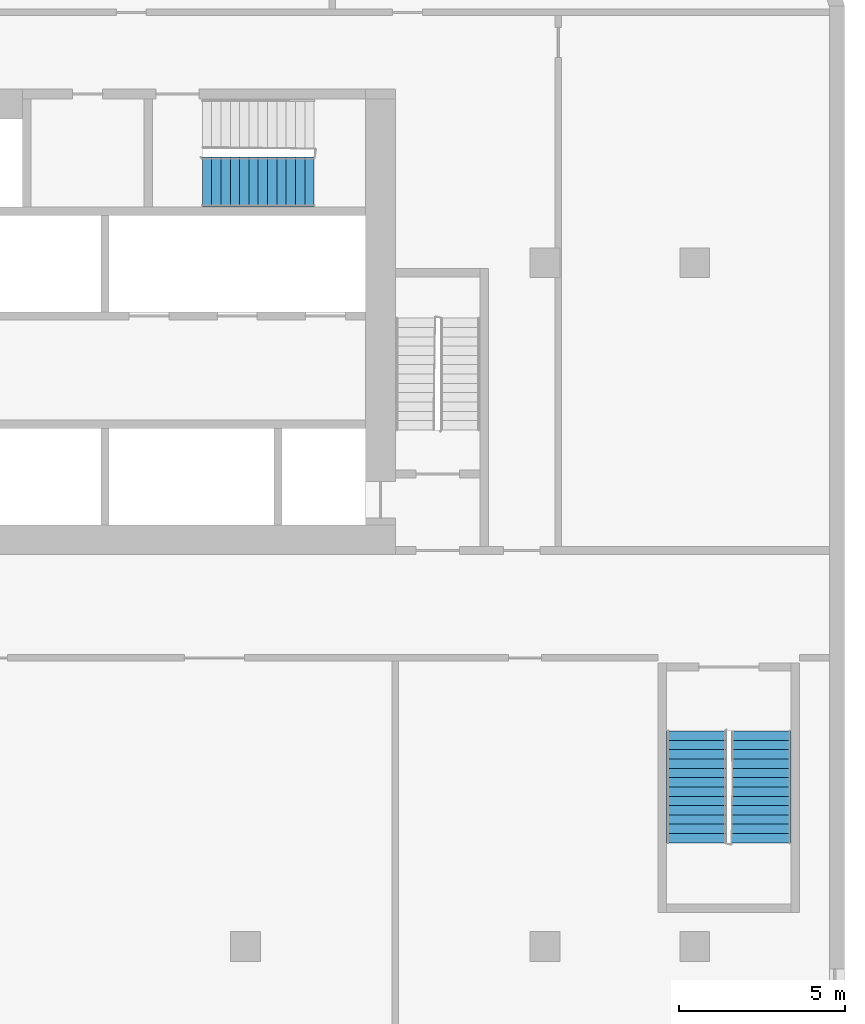
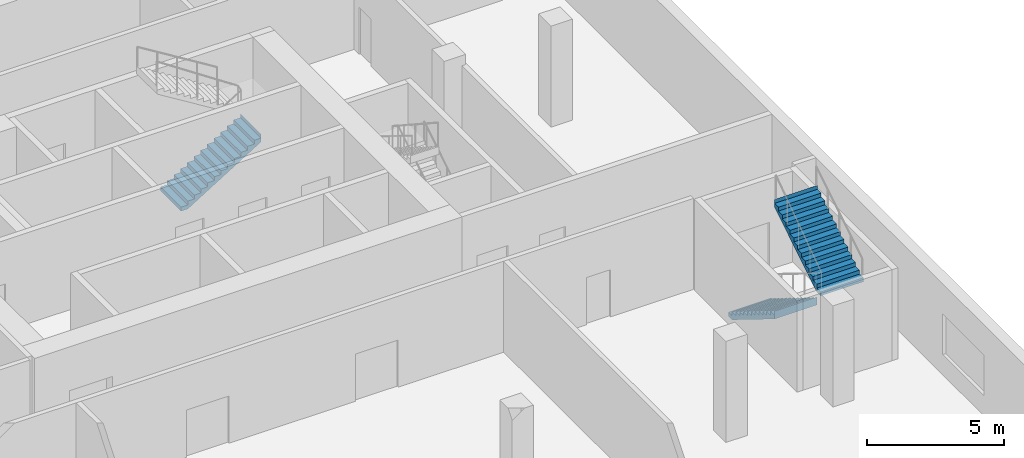
# One storey, part 16 of 19: 3 stair flights, 2 elements without a shape of their own.
"""IFC4 building model written with IfcOpenShell, lengths in metres."""

from ifc_helpers import new_model, si_unit, direction, frame, origin, place, context, subcontext, project, spatial, faceted_brep, material, type_object, element, aggregate, save


model = new_model("IFC4")

# Units and contexts
model_context = context("Model", 3, precision=1e-05, world=origin(), true_north=direction((0.0, 1.0)))
body_context = subcontext(model_context, "Body", "Model", "MODEL_VIEW")
ifc_project = project(units=[si_unit("LENGTHUNIT", "METRE"), si_unit("AREAUNIT", "SQUARE_METRE"), si_unit("VOLUMEUNIT", "CUBIC_METRE"), si_unit("PLANEANGLEUNIT", "RADIAN"), si_unit("MASSUNIT", "GRAM", prefix="KILO")], contexts=[model_context])

# Site, building, storey
site_placement = place(None, origin())
site = spatial("IfcSite", under=ifc_project, at=site_placement, CompositionType="ELEMENT")
building_placement = place(site_placement, origin())
building = spatial("IfcBuilding", under=site, at=building_placement, Name="Kajstack Hotel Tower", CompositionType="ELEMENT")
storey_placement = place(building_placement, frame((0.0, 0.0, 33.5)))
storey = spatial("IfcBuildingStorey", under=building, at=storey_placement, Name="L05", CompositionType="ELEMENT", Elevation=33.5)

# Stair, stair flights
ifc_material = material(Name="Concrete C40/50", Category="concrete")
stair_type_1 = type_object("IfcStairType", Name="Escape stair 1800", PredefinedType="HALF_TURN_STAIR", material=ifc_material)
stair_1_placement = place(storey_placement, origin())
stair_1 = element("IfcStair", 1, at=stair_1_placement, inside=storey, type_object=stair_type_1, Name="L05 stair P2", PredefinedType="HALF_TURN_STAIR")
stair_flight_type_1 = type_object("IfcStairFlightType", Name="Escape stair flight 1800", PredefinedType="STRAIGHT", material=ifc_material)
stair_flight_1_placement = place(storey_placement, frame((40.550048828125, -3.800048828125, 0.0), z_axis=(0.0, 0.0, 1.0), x_axis=(0.0, -1.0, 0.0)))
stair_flight_1 = element("IfcStairFlight", 2, at=stair_flight_1_placement, type_object=stair_flight_type_1, Name="P2 flight 1", NumberOfRisers=13, NumberOfTreads=12, PredefinedType="STRAIGHT", RiserHeight=0.173076923, TreadLength=0.28, context=body_context, shape_type="Brep", body=[
    faceted_brep([(0.28564453125, -0.89990234375, 0.0), (3.360595703125, -0.89990234375, 1.900634765625), (3.360595703125, -0.89990234375, 2.25), (3.360107421875, -0.89990234375, 2.25), (3.360107421875, -0.89990234375, 2.076904296875), (3.080078125, -0.89990234375, 2.076904296875), (3.080078125, -0.89990234375, 1.90380859375), (2.800048828125, -0.89990234375, 1.90380859375), (2.800048828125, -0.89990234375, 1.730712890625), (2.52001953125, -0.89990234375, 1.730712890625), (2.52001953125, -0.89990234375, 1.5576171875), (2.239990234375, -0.89990234375, 1.5576171875), (2.239990234375, -0.89990234375, 1.384521484375), (1.9599609375, -0.89990234375, 1.384521484375), (1.9599609375, -0.89990234375, 1.21142578125), (1.679931640625, -0.89990234375, 1.21142578125), (1.679931640625, -0.89990234375, 1.03857421875), (1.39990234375, -0.89990234375, 1.03857421875), (1.39990234375, -0.89990234375, 0.865478515625), (1.1201171875, -0.89990234375, 0.865478515625), (1.1201171875, -0.89990234375, 0.6923828125), (0.840087890625, -0.89990234375, 0.6923828125), (0.840087890625, -0.89990234375, 0.519287109375), (0.56005859375, -0.89990234375, 0.519287109375), (0.56005859375, -0.89990234375, 0.34619140625), (0.280029296875, -0.89990234375, 0.34619140625), (0.280029296875, -0.89990234375, 0.173095703125), (-0.00048828125, -0.89990234375, 0.173095703125), (-0.00048828125, -0.89990234375, 0.0), (-0.00048828125, 0.89990234375, 0.0), (-0.00048828125, 0.89990234375, 0.173095703125), (0.280029296875, 0.89990234375, 0.173095703125), (0.280029296875, 0.89990234375, 0.34619140625), (0.56005859375, 0.89990234375, 0.34619140625), (0.56005859375, 0.89990234375, 0.519287109375), (0.840087890625, 0.89990234375, 0.519287109375), (0.840087890625, 0.89990234375, 0.6923828125), (1.1201171875, 0.89990234375, 0.6923828125), (1.1201171875, 0.89990234375, 0.865478515625), (1.39990234375, 0.89990234375, 0.865478515625), (1.39990234375, 0.89990234375, 1.03857421875), (1.679931640625, 0.89990234375, 1.03857421875), (1.679931640625, 0.89990234375, 1.21142578125), (1.9599609375, 0.89990234375, 1.21142578125), (1.9599609375, 0.89990234375, 1.384521484375), (2.239990234375, 0.89990234375, 1.384521484375), (2.239990234375, 0.89990234375, 1.5576171875), (2.52001953125, 0.89990234375, 1.5576171875), (2.52001953125, 0.89990234375, 1.730712890625), (2.800048828125, 0.89990234375, 1.730712890625), (2.800048828125, 0.89990234375, 1.90380859375), (3.080078125, 0.89990234375, 1.90380859375), (3.080078125, 0.89990234375, 2.076904296875), (3.360107421875, 0.89990234375, 2.076904296875), (3.360107421875, 0.89990234375, 2.25), (3.360595703125, 0.89990234375, 2.25), (3.360595703125, 0.89990234375, 1.900634765625), (0.28564453125, 0.89990234375, 0.0), (-0.00048828125, -0.449951171875, 0.173095703125), (-0.00048828125, 0.0, 0.173095703125), (-0.00048828125, 0.449951171875, 0.173095703125), (-0.00048828125, 0.449951171875, 0.0), (-0.00048828125, 0.0, 0.0), (-0.00048828125, -0.449951171875, 0.0), (0.280029296875, -0.449951171875, 0.173095703125), (0.280029296875, 0.0, 0.173095703125), (0.280029296875, 0.449951171875, 0.173095703125), (0.280029296875, -0.449951171875, 0.34619140625), (0.280029296875, 0.0, 0.34619140625), (0.280029296875, 0.449951171875, 0.34619140625), (0.56005859375, -0.449951171875, 0.34619140625), (0.56005859375, 0.0, 0.34619140625), (0.56005859375, 0.449951171875, 0.34619140625), (0.56005859375, -0.449951171875, 0.519287109375), (0.56005859375, 0.0, 0.519287109375), (0.56005859375, 0.449951171875, 0.519287109375), (0.840087890625, -0.449951171875, 0.519287109375), (0.840087890625, 0.0, 0.519287109375), (0.840087890625, 0.449951171875, 0.519287109375), (0.840087890625, -0.449951171875, 0.6923828125), (0.840087890625, 0.0, 0.6923828125), (0.840087890625, 0.449951171875, 0.6923828125), (1.1201171875, -0.449951171875, 0.6923828125), (1.1201171875, 0.0, 0.6923828125), (1.1201171875, 0.449951171875, 0.6923828125), (1.1201171875, -0.449951171875, 0.865478515625), (1.1201171875, 0.0, 0.865478515625), (1.1201171875, 0.449951171875, 0.865478515625), (1.39990234375, -0.449951171875, 0.865478515625), (1.39990234375, 0.0, 0.865478515625), (1.39990234375, 0.449951171875, 0.865478515625), (1.39990234375, -0.449951171875, 1.03857421875), (1.39990234375, 0.0, 1.03857421875), (1.39990234375, 0.449951171875, 1.03857421875), (1.679931640625, -0.449951171875, 1.03857421875), (1.679931640625, 0.0, 1.03857421875), (1.679931640625, 0.449951171875, 1.03857421875), (1.679931640625, -0.449951171875, 1.21142578125), (1.679931640625, 0.0, 1.21142578125), (1.679931640625, 0.449951171875, 1.21142578125), (1.9599609375, -0.449951171875, 1.21142578125), (1.9599609375, 0.0, 1.21142578125), (1.9599609375, 0.449951171875, 1.21142578125), (1.9599609375, -0.449951171875, 1.384521484375), (1.9599609375, 0.0, 1.384521484375), (1.9599609375, 0.449951171875, 1.384521484375), (2.239990234375, -0.449951171875, 1.384521484375), (2.239990234375, 0.0, 1.384521484375), (2.239990234375, 0.449951171875, 1.384521484375), (2.239990234375, -0.449951171875, 1.5576171875), (2.239990234375, 0.0, 1.5576171875), (2.239990234375, 0.449951171875, 1.5576171875), (2.52001953125, -0.449951171875, 1.5576171875), (2.52001953125, 0.0, 1.5576171875), (2.52001953125, 0.449951171875, 1.5576171875), (2.52001953125, -0.449951171875, 1.730712890625), (2.52001953125, 0.0, 1.730712890625), (2.52001953125, 0.449951171875, 1.730712890625), (2.800048828125, -0.449951171875, 1.730712890625), (2.800048828125, 0.0, 1.730712890625), (2.800048828125, 0.449951171875, 1.730712890625), (2.800048828125, -0.449951171875, 1.90380859375), (2.800048828125, 0.0, 1.90380859375), (2.800048828125, 0.449951171875, 1.90380859375), (3.080078125, -0.449951171875, 1.90380859375), (3.080078125, 0.0, 1.90380859375), (3.080078125, 0.449951171875, 1.90380859375), (3.080078125, -0.449951171875, 2.076904296875), (3.080078125, 0.0, 2.076904296875), (3.080078125, 0.449951171875, 2.076904296875), (3.360107421875, -0.449951171875, 2.076904296875), (3.360107421875, 0.0, 2.076904296875), (3.360107421875, 0.449951171875, 2.076904296875), (3.360107421875, -0.449951171875, 2.25), (3.360107421875, 0.0, 2.25), (3.360107421875, 0.449951171875, 2.25), (3.360595703125, -0.449951171875, 2.25), (3.360595703125, 0.0, 2.25), (3.360595703125, 0.449951171875, 2.25), (3.360595703125, -0.449951171875, 1.900634765625), (3.360595703125, 0.0, 1.900634765625), (3.360595703125, 0.449951171875, 1.900634765625), (0.28564453125, -0.449951171875, 0.0), (0.28564453125, 0.0, 0.0), (0.28564453125, 0.449951171875, 0.0)], [[[0, 1, 2, 3, 4, 5, 6, 7, 8, 9, 10, 11, 12, 13, 14, 15, 16, 17, 18, 19, 20, 21, 22, 23, 24, 25, 26, 27, 28]], [[29, 30, 31, 32, 33, 34, 35, 36, 37, 38, 39, 40, 41, 42, 43, 44, 45, 46, 47, 48, 49, 50, 51, 52, 53, 54, 55, 56, 57]], [[27, 58, 59, 60, 30, 29, 61, 62, 63, 28]], [[26, 64, 65, 66, 31, 30, 60, 59, 58, 27]], [[25, 67, 68, 69, 32, 31, 66, 65, 64, 26]], [[24, 70, 71, 72, 33, 32, 69, 68, 67, 25]], [[23, 73, 74, 75, 34, 33, 72, 71, 70, 24]], [[22, 76, 77, 78, 35, 34, 75, 74, 73, 23]], [[21, 79, 80, 81, 36, 35, 78, 77, 76, 22]], [[20, 82, 83, 84, 37, 36, 81, 80, 79, 21]], [[19, 85, 86, 87, 38, 37, 84, 83, 82, 20]], [[18, 88, 89, 90, 39, 38, 87, 86, 85, 19]], [[17, 91, 92, 93, 40, 39, 90, 89, 88, 18]], [[16, 94, 95, 96, 41, 40, 93, 92, 91, 17]], [[15, 97, 98, 99, 42, 41, 96, 95, 94, 16]], [[14, 100, 101, 102, 43, 42, 99, 98, 97, 15]], [[13, 103, 104, 105, 44, 43, 102, 101, 100, 14]], [[12, 106, 107, 108, 45, 44, 105, 104, 103, 13]], [[11, 109, 110, 111, 46, 45, 108, 107, 106, 12]], [[10, 112, 113, 114, 47, 46, 111, 110, 109, 11]], [[9, 115, 116, 117, 48, 47, 114, 113, 112, 10]], [[8, 118, 119, 120, 49, 48, 117, 116, 115, 9]], [[7, 121, 122, 123, 50, 49, 120, 119, 118, 8]], [[6, 124, 125, 126, 51, 50, 123, 122, 121, 7]], [[5, 127, 128, 129, 52, 51, 126, 125, 124, 6]], [[4, 130, 131, 132, 53, 52, 129, 128, 127, 5]], [[3, 133, 134, 135, 54, 53, 132, 131, 130, 4]], [[2, 136, 137, 138, 55, 54, 135, 134, 133, 3]], [[1, 139, 140, 141, 56, 55, 138, 137, 136, 2]], [[0, 142, 143, 144, 57, 56, 141, 140, 139, 1]], [[28, 63, 62, 61, 29, 57, 144, 143, 142, 0]]]),
])
stair_flight_2_placement = place(storey_placement, frame((42.5, -7.159912109375, 2.25), z_axis=(0.0, 0.0, 1.0), x_axis=(0.0, 1.0, 0.0)))
stair_flight_2 = element("IfcStairFlight", 3, at=stair_flight_2_placement, type_object=stair_flight_type_1, Name="P2 flight 2", NumberOfRisers=13, NumberOfTreads=12, PredefinedType="STRAIGHT", RiserHeight=0.173076923, TreadLength=0.28, context=body_context, shape_type="Brep", body=[
    faceted_brep([(0.28564453125, -0.89990234375, 0.0), (3.360595703125, -0.89990234375, 1.900634765625), (3.360595703125, -0.89990234375, 2.25), (3.360107421875, -0.89990234375, 2.25), (3.360107421875, -0.89990234375, 2.076904296875), (3.080078125, -0.89990234375, 2.076904296875), (3.080078125, -0.89990234375, 1.90380859375), (2.800048828125, -0.89990234375, 1.90380859375), (2.800048828125, -0.89990234375, 1.730712890625), (2.52001953125, -0.89990234375, 1.730712890625), (2.52001953125, -0.89990234375, 1.5576171875), (2.239990234375, -0.89990234375, 1.5576171875), (2.239990234375, -0.89990234375, 1.384521484375), (1.9599609375, -0.89990234375, 1.384521484375), (1.9599609375, -0.89990234375, 1.21142578125), (1.679931640625, -0.89990234375, 1.21142578125), (1.679931640625, -0.89990234375, 1.03857421875), (1.39990234375, -0.89990234375, 1.03857421875), (1.39990234375, -0.89990234375, 0.865478515625), (1.1201171875, -0.89990234375, 0.865478515625), (1.1201171875, -0.89990234375, 0.6923828125), (0.840087890625, -0.89990234375, 0.6923828125), (0.840087890625, -0.89990234375, 0.519287109375), (0.56005859375, -0.89990234375, 0.519287109375), (0.56005859375, -0.89990234375, 0.34619140625), (0.280029296875, -0.89990234375, 0.34619140625), (0.280029296875, -0.89990234375, 0.173095703125), (-0.00048828125, -0.89990234375, 0.173095703125), (-0.00048828125, -0.89990234375, 0.0), (-0.00048828125, 0.89990234375, 0.0), (-0.00048828125, 0.89990234375, 0.173095703125), (0.280029296875, 0.89990234375, 0.173095703125), (0.280029296875, 0.89990234375, 0.34619140625), (0.56005859375, 0.89990234375, 0.34619140625), (0.56005859375, 0.89990234375, 0.519287109375), (0.840087890625, 0.89990234375, 0.519287109375), (0.840087890625, 0.89990234375, 0.6923828125), (1.1201171875, 0.89990234375, 0.6923828125), (1.1201171875, 0.89990234375, 0.865478515625), (1.39990234375, 0.89990234375, 0.865478515625), (1.39990234375, 0.89990234375, 1.03857421875), (1.679931640625, 0.89990234375, 1.03857421875), (1.679931640625, 0.89990234375, 1.21142578125), (1.9599609375, 0.89990234375, 1.21142578125), (1.9599609375, 0.89990234375, 1.384521484375), (2.239990234375, 0.89990234375, 1.384521484375), (2.239990234375, 0.89990234375, 1.5576171875), (2.52001953125, 0.89990234375, 1.5576171875), (2.52001953125, 0.89990234375, 1.730712890625), (2.800048828125, 0.89990234375, 1.730712890625), (2.800048828125, 0.89990234375, 1.90380859375), (3.080078125, 0.89990234375, 1.90380859375), (3.080078125, 0.89990234375, 2.076904296875), (3.360107421875, 0.89990234375, 2.076904296875), (3.360107421875, 0.89990234375, 2.25), (3.360595703125, 0.89990234375, 2.25), (3.360595703125, 0.89990234375, 1.900634765625), (0.28564453125, 0.89990234375, 0.0), (-0.00048828125, -0.449951171875, 0.173095703125), (-0.00048828125, 0.0, 0.173095703125), (-0.00048828125, 0.449951171875, 0.173095703125), (-0.00048828125, 0.449951171875, 0.0), (-0.00048828125, 0.0, 0.0), (-0.00048828125, -0.449951171875, 0.0), (0.280029296875, -0.449951171875, 0.173095703125), (0.280029296875, 0.0, 0.173095703125), (0.280029296875, 0.449951171875, 0.173095703125), (0.280029296875, -0.449951171875, 0.34619140625), (0.280029296875, 0.0, 0.34619140625), (0.280029296875, 0.449951171875, 0.34619140625), (0.56005859375, -0.449951171875, 0.34619140625), (0.56005859375, 0.0, 0.34619140625), (0.56005859375, 0.449951171875, 0.34619140625), (0.56005859375, -0.449951171875, 0.519287109375), (0.56005859375, 0.0, 0.519287109375), (0.56005859375, 0.449951171875, 0.519287109375), (0.840087890625, -0.449951171875, 0.519287109375), (0.840087890625, 0.0, 0.519287109375), (0.840087890625, 0.449951171875, 0.519287109375), (0.840087890625, -0.449951171875, 0.6923828125), (0.840087890625, 0.0, 0.6923828125), (0.840087890625, 0.449951171875, 0.6923828125), (1.1201171875, -0.449951171875, 0.6923828125), (1.1201171875, 0.0, 0.6923828125), (1.1201171875, 0.449951171875, 0.6923828125), (1.1201171875, -0.449951171875, 0.865478515625), (1.1201171875, 0.0, 0.865478515625), (1.1201171875, 0.449951171875, 0.865478515625), (1.39990234375, -0.449951171875, 0.865478515625), (1.39990234375, 0.0, 0.865478515625), (1.39990234375, 0.449951171875, 0.865478515625), (1.39990234375, -0.449951171875, 1.03857421875), (1.39990234375, 0.0, 1.03857421875), (1.39990234375, 0.449951171875, 1.03857421875), (1.679931640625, -0.449951171875, 1.03857421875), (1.679931640625, 0.0, 1.03857421875), (1.679931640625, 0.449951171875, 1.03857421875), (1.679931640625, -0.449951171875, 1.21142578125), (1.679931640625, 0.0, 1.21142578125), (1.679931640625, 0.449951171875, 1.21142578125), (1.9599609375, -0.449951171875, 1.21142578125), (1.9599609375, 0.0, 1.21142578125), (1.9599609375, 0.449951171875, 1.21142578125), (1.9599609375, -0.449951171875, 1.384521484375), (1.9599609375, 0.0, 1.384521484375), (1.9599609375, 0.449951171875, 1.384521484375), (2.239990234375, -0.449951171875, 1.384521484375), (2.239990234375, 0.0, 1.384521484375), (2.239990234375, 0.449951171875, 1.384521484375), (2.239990234375, -0.449951171875, 1.5576171875), (2.239990234375, 0.0, 1.5576171875), (2.239990234375, 0.449951171875, 1.5576171875), (2.52001953125, -0.449951171875, 1.5576171875), (2.52001953125, 0.0, 1.5576171875), (2.52001953125, 0.449951171875, 1.5576171875), (2.52001953125, -0.449951171875, 1.730712890625), (2.52001953125, 0.0, 1.730712890625), (2.52001953125, 0.449951171875, 1.730712890625), (2.800048828125, -0.449951171875, 1.730712890625), (2.800048828125, 0.0, 1.730712890625), (2.800048828125, 0.449951171875, 1.730712890625), (2.800048828125, -0.449951171875, 1.90380859375), (2.800048828125, 0.0, 1.90380859375), (2.800048828125, 0.449951171875, 1.90380859375), (3.080078125, -0.449951171875, 1.90380859375), (3.080078125, 0.0, 1.90380859375), (3.080078125, 0.449951171875, 1.90380859375), (3.080078125, -0.449951171875, 2.076904296875), (3.080078125, 0.0, 2.076904296875), (3.080078125, 0.449951171875, 2.076904296875), (3.360107421875, -0.449951171875, 2.076904296875), (3.360107421875, 0.0, 2.076904296875), (3.360107421875, 0.449951171875, 2.076904296875), (3.360107421875, -0.449951171875, 2.25), (3.360107421875, 0.0, 2.25), (3.360107421875, 0.449951171875, 2.25), (3.360595703125, -0.449951171875, 2.25), (3.360595703125, 0.0, 2.25), (3.360595703125, 0.449951171875, 2.25), (3.360595703125, -0.449951171875, 1.900634765625), (3.360595703125, 0.0, 1.900634765625), (3.360595703125, 0.449951171875, 1.900634765625), (0.28564453125, -0.449951171875, 0.0), (0.28564453125, 0.0, 0.0), (0.28564453125, 0.449951171875, 0.0)], [[[0, 1, 2, 3, 4, 5, 6, 7, 8, 9, 10, 11, 12, 13, 14, 15, 16, 17, 18, 19, 20, 21, 22, 23, 24, 25, 26, 27, 28]], [[29, 30, 31, 32, 33, 34, 35, 36, 37, 38, 39, 40, 41, 42, 43, 44, 45, 46, 47, 48, 49, 50, 51, 52, 53, 54, 55, 56, 57]], [[27, 58, 59, 60, 30, 29, 61, 62, 63, 28]], [[26, 64, 65, 66, 31, 30, 60, 59, 58, 27]], [[25, 67, 68, 69, 32, 31, 66, 65, 64, 26]], [[24, 70, 71, 72, 33, 32, 69, 68, 67, 25]], [[23, 73, 74, 75, 34, 33, 72, 71, 70, 24]], [[22, 76, 77, 78, 35, 34, 75, 74, 73, 23]], [[21, 79, 80, 81, 36, 35, 78, 77, 76, 22]], [[20, 82, 83, 84, 37, 36, 81, 80, 79, 21]], [[19, 85, 86, 87, 38, 37, 84, 83, 82, 20]], [[18, 88, 89, 90, 39, 38, 87, 86, 85, 19]], [[17, 91, 92, 93, 40, 39, 90, 89, 88, 18]], [[16, 94, 95, 96, 41, 40, 93, 92, 91, 17]], [[15, 97, 98, 99, 42, 41, 96, 95, 94, 16]], [[14, 100, 101, 102, 43, 42, 99, 98, 97, 15]], [[13, 103, 104, 105, 44, 43, 102, 101, 100, 14]], [[12, 106, 107, 108, 45, 44, 105, 104, 103, 13]], [[11, 109, 110, 111, 46, 45, 108, 107, 106, 12]], [[10, 112, 113, 114, 47, 46, 111, 110, 109, 11]], [[9, 115, 116, 117, 48, 47, 114, 113, 112, 10]], [[8, 118, 119, 120, 49, 48, 117, 116, 115, 9]], [[7, 121, 122, 123, 50, 49, 120, 119, 118, 8]], [[6, 124, 125, 126, 51, 50, 123, 122, 121, 7]], [[5, 127, 128, 129, 52, 51, 126, 125, 124, 6]], [[4, 130, 131, 132, 53, 52, 129, 128, 127, 5]], [[3, 133, 134, 135, 54, 53, 132, 131, 130, 4]], [[2, 136, 137, 138, 55, 54, 135, 134, 133, 3]], [[1, 139, 140, 141, 56, 55, 138, 137, 136, 2]], [[0, 142, 143, 144, 57, 56, 141, 140, 139, 1]], [[28, 63, 62, 61, 29, 57, 144, 143, 142, 0]]]),
])
aggregate(stair_1, [stair_flight_1, stair_flight_2])

# Stair, stair flight
stair_type_2 = type_object("IfcStairType", Name="Exit stair 1500", PredefinedType="HALF_TURN_STAIR", material=ifc_material)
stair_2_placement = place(storey_placement, origin())
stair_2 = element("IfcStair", 4, at=stair_2_placement, inside=storey, type_object=stair_type_2, Name="L05 stair E3", PredefinedType="HALF_TURN_STAIR")
stair_flight_type_2 = type_object("IfcStairFlightType", Name="Exit stair flight 1500", PredefinedType="STRAIGHT", material=ifc_material)
stair_flight_3_placement = place(storey_placement, frame((25.699951171875, 12.699951171875, 0.0), z_axis=(0.0, 0.0, 1.0), x_axis=(1.0, 0.0, 0.0)))
stair_flight_3 = element("IfcStairFlight", 5, at=stair_flight_3_placement, type_object=stair_flight_type_2, Name="E3 flight 1", NumberOfRisers=13, NumberOfTreads=12, PredefinedType="STRAIGHT", RiserHeight=0.173076923, TreadLength=0.28, context=body_context, shape_type="Brep", body=[
    faceted_brep([(0.28564453125, -0.75, 0.0), (3.360595703125, -0.75, 1.900634765625), (3.360595703125, -0.75, 2.25), (3.360107421875, -0.75, 2.25), (3.360107421875, -0.75, 2.076904296875), (3.080078125, -0.75, 2.076904296875), (3.080078125, -0.75, 1.90380859375), (2.800048828125, -0.75, 1.90380859375), (2.800048828125, -0.75, 1.730712890625), (2.52001953125, -0.75, 1.730712890625), (2.52001953125, -0.75, 1.5576171875), (2.239990234375, -0.75, 1.5576171875), (2.239990234375, -0.75, 1.384521484375), (1.9599609375, -0.75, 1.384521484375), (1.9599609375, -0.75, 1.21142578125), (1.679931640625, -0.75, 1.21142578125), (1.679931640625, -0.75, 1.03857421875), (1.39990234375, -0.75, 1.03857421875), (1.39990234375, -0.75, 0.865478515625), (1.1201171875, -0.75, 0.865478515625), (1.1201171875, -0.75, 0.6923828125), (0.840087890625, -0.75, 0.6923828125), (0.840087890625, -0.75, 0.519287109375), (0.56005859375, -0.75, 0.519287109375), (0.56005859375, -0.75, 0.34619140625), (0.280029296875, -0.75, 0.34619140625), (0.280029296875, -0.75, 0.173095703125), (-0.00048828125, -0.75, 0.173095703125), (-0.00048828125, -0.75, 0.0), (-0.00048828125, 0.75, 0.0), (-0.00048828125, 0.75, 0.173095703125), (0.280029296875, 0.75, 0.173095703125), (0.280029296875, 0.75, 0.34619140625), (0.56005859375, 0.75, 0.34619140625), (0.56005859375, 0.75, 0.519287109375), (0.840087890625, 0.75, 0.519287109375), (0.840087890625, 0.75, 0.6923828125), (1.1201171875, 0.75, 0.6923828125), (1.1201171875, 0.75, 0.865478515625), (1.39990234375, 0.75, 0.865478515625), (1.39990234375, 0.75, 1.03857421875), (1.679931640625, 0.75, 1.03857421875), (1.679931640625, 0.75, 1.21142578125), (1.9599609375, 0.75, 1.21142578125), (1.9599609375, 0.75, 1.384521484375), (2.239990234375, 0.75, 1.384521484375), (2.239990234375, 0.75, 1.5576171875), (2.52001953125, 0.75, 1.5576171875), (2.52001953125, 0.75, 1.730712890625), (2.800048828125, 0.75, 1.730712890625), (2.800048828125, 0.75, 1.90380859375), (3.080078125, 0.75, 1.90380859375), (3.080078125, 0.75, 2.076904296875), (3.360107421875, 0.75, 2.076904296875), (3.360107421875, 0.75, 2.25), (3.360595703125, 0.75, 2.25), (3.360595703125, 0.75, 1.900634765625), (0.28564453125, 0.75, 0.0), (-0.00048828125, -0.375, 0.173095703125), (-0.00048828125, 0.0, 0.173095703125), (-0.00048828125, 0.375, 0.173095703125), (-0.00048828125, 0.375, 0.0), (-0.00048828125, 0.0, 0.0), (-0.00048828125, -0.375, 0.0), (0.280029296875, -0.375, 0.173095703125), (0.280029296875, 0.0, 0.173095703125), (0.280029296875, 0.375, 0.173095703125), (0.280029296875, -0.375, 0.34619140625), (0.280029296875, 0.0, 0.34619140625), (0.280029296875, 0.375, 0.34619140625), (0.56005859375, -0.375, 0.34619140625), (0.56005859375, 0.0, 0.34619140625), (0.56005859375, 0.375, 0.34619140625), (0.56005859375, -0.375, 0.519287109375), (0.56005859375, 0.0, 0.519287109375), (0.56005859375, 0.375, 0.519287109375), (0.840087890625, -0.375, 0.519287109375), (0.840087890625, 0.0, 0.519287109375), (0.840087890625, 0.375, 0.519287109375), (0.840087890625, -0.375, 0.6923828125), (0.840087890625, 0.0, 0.6923828125), (0.840087890625, 0.375, 0.6923828125), (1.1201171875, -0.375, 0.6923828125), (1.1201171875, 0.0, 0.6923828125), (1.1201171875, 0.375, 0.6923828125), (1.1201171875, -0.375, 0.865478515625), (1.1201171875, 0.0, 0.865478515625), (1.1201171875, 0.375, 0.865478515625), (1.39990234375, -0.375, 0.865478515625), (1.39990234375, 0.0, 0.865478515625), (1.39990234375, 0.375, 0.865478515625), (1.39990234375, -0.375, 1.03857421875), (1.39990234375, 0.0, 1.03857421875), (1.39990234375, 0.375, 1.03857421875), (1.679931640625, -0.375, 1.03857421875), (1.679931640625, 0.0, 1.03857421875), (1.679931640625, 0.375, 1.03857421875), (1.679931640625, -0.375, 1.21142578125), (1.679931640625, 0.0, 1.21142578125), (1.679931640625, 0.375, 1.21142578125), (1.9599609375, -0.375, 1.21142578125), (1.9599609375, 0.0, 1.21142578125), (1.9599609375, 0.375, 1.21142578125), (1.9599609375, -0.375, 1.384521484375), (1.9599609375, 0.0, 1.384521484375), (1.9599609375, 0.375, 1.384521484375), (2.239990234375, -0.375, 1.384521484375), (2.239990234375, 0.0, 1.384521484375), (2.239990234375, 0.375, 1.384521484375), (2.239990234375, -0.375, 1.5576171875), (2.239990234375, 0.0, 1.5576171875), (2.239990234375, 0.375, 1.5576171875), (2.52001953125, -0.375, 1.5576171875), (2.52001953125, 0.0, 1.5576171875), (2.52001953125, 0.375, 1.5576171875), (2.52001953125, -0.375, 1.730712890625), (2.52001953125, 0.0, 1.730712890625), (2.52001953125, 0.375, 1.730712890625), (2.800048828125, -0.375, 1.730712890625), (2.800048828125, 0.0, 1.730712890625), (2.800048828125, 0.375, 1.730712890625), (2.800048828125, -0.375, 1.90380859375), (2.800048828125, 0.0, 1.90380859375), (2.800048828125, 0.375, 1.90380859375), (3.080078125, -0.375, 1.90380859375), (3.080078125, 0.0, 1.90380859375), (3.080078125, 0.375, 1.90380859375), (3.080078125, -0.375, 2.076904296875), (3.080078125, 0.0, 2.076904296875), (3.080078125, 0.375, 2.076904296875), (3.360107421875, -0.375, 2.076904296875), (3.360107421875, 0.0, 2.076904296875), (3.360107421875, 0.375, 2.076904296875), (3.360107421875, -0.375, 2.25), (3.360107421875, 0.0, 2.25), (3.360107421875, 0.375, 2.25), (3.360595703125, -0.375, 2.25), (3.360595703125, 0.0, 2.25), (3.360595703125, 0.375, 2.25), (3.360595703125, -0.375, 1.900634765625), (3.360595703125, 0.0, 1.900634765625), (3.360595703125, 0.375, 1.900634765625), (0.28564453125, -0.375, 0.0), (0.28564453125, 0.0, 0.0), (0.28564453125, 0.375, 0.0)], [[[0, 1, 2, 3, 4, 5, 6, 7, 8, 9, 10, 11, 12, 13, 14, 15, 16, 17, 18, 19, 20, 21, 22, 23, 24, 25, 26, 27, 28]], [[29, 30, 31, 32, 33, 34, 35, 36, 37, 38, 39, 40, 41, 42, 43, 44, 45, 46, 47, 48, 49, 50, 51, 52, 53, 54, 55, 56, 57]], [[27, 58, 59, 60, 30, 29, 61, 62, 63, 28]], [[26, 64, 65, 66, 31, 30, 60, 59, 58, 27]], [[25, 67, 68, 69, 32, 31, 66, 65, 64, 26]], [[24, 70, 71, 72, 33, 32, 69, 68, 67, 25]], [[23, 73, 74, 75, 34, 33, 72, 71, 70, 24]], [[22, 76, 77, 78, 35, 34, 75, 74, 73, 23]], [[21, 79, 80, 81, 36, 35, 78, 77, 76, 22]], [[20, 82, 83, 84, 37, 36, 81, 80, 79, 21]], [[19, 85, 86, 87, 38, 37, 84, 83, 82, 20]], [[18, 88, 89, 90, 39, 38, 87, 86, 85, 19]], [[17, 91, 92, 93, 40, 39, 90, 89, 88, 18]], [[16, 94, 95, 96, 41, 40, 93, 92, 91, 17]], [[15, 97, 98, 99, 42, 41, 96, 95, 94, 16]], [[14, 100, 101, 102, 43, 42, 99, 98, 97, 15]], [[13, 103, 104, 105, 44, 43, 102, 101, 100, 14]], [[12, 106, 107, 108, 45, 44, 105, 104, 103, 13]], [[11, 109, 110, 111, 46, 45, 108, 107, 106, 12]], [[10, 112, 113, 114, 47, 46, 111, 110, 109, 11]], [[9, 115, 116, 117, 48, 47, 114, 113, 112, 10]], [[8, 118, 119, 120, 49, 48, 117, 116, 115, 9]], [[7, 121, 122, 123, 50, 49, 120, 119, 118, 8]], [[6, 124, 125, 126, 51, 50, 123, 122, 121, 7]], [[5, 127, 128, 129, 52, 51, 126, 125, 124, 6]], [[4, 130, 131, 132, 53, 52, 129, 128, 127, 5]], [[3, 133, 134, 135, 54, 53, 132, 131, 130, 4]], [[2, 136, 137, 138, 55, 54, 135, 134, 133, 3]], [[1, 139, 140, 141, 56, 55, 138, 137, 136, 2]], [[0, 142, 143, 144, 57, 56, 141, 140, 139, 1]], [[28, 63, 62, 61, 29, 57, 144, 143, 142, 0]]]),
])
aggregate(stair_2, [stair_flight_3])

save(model, "model.ifc")
